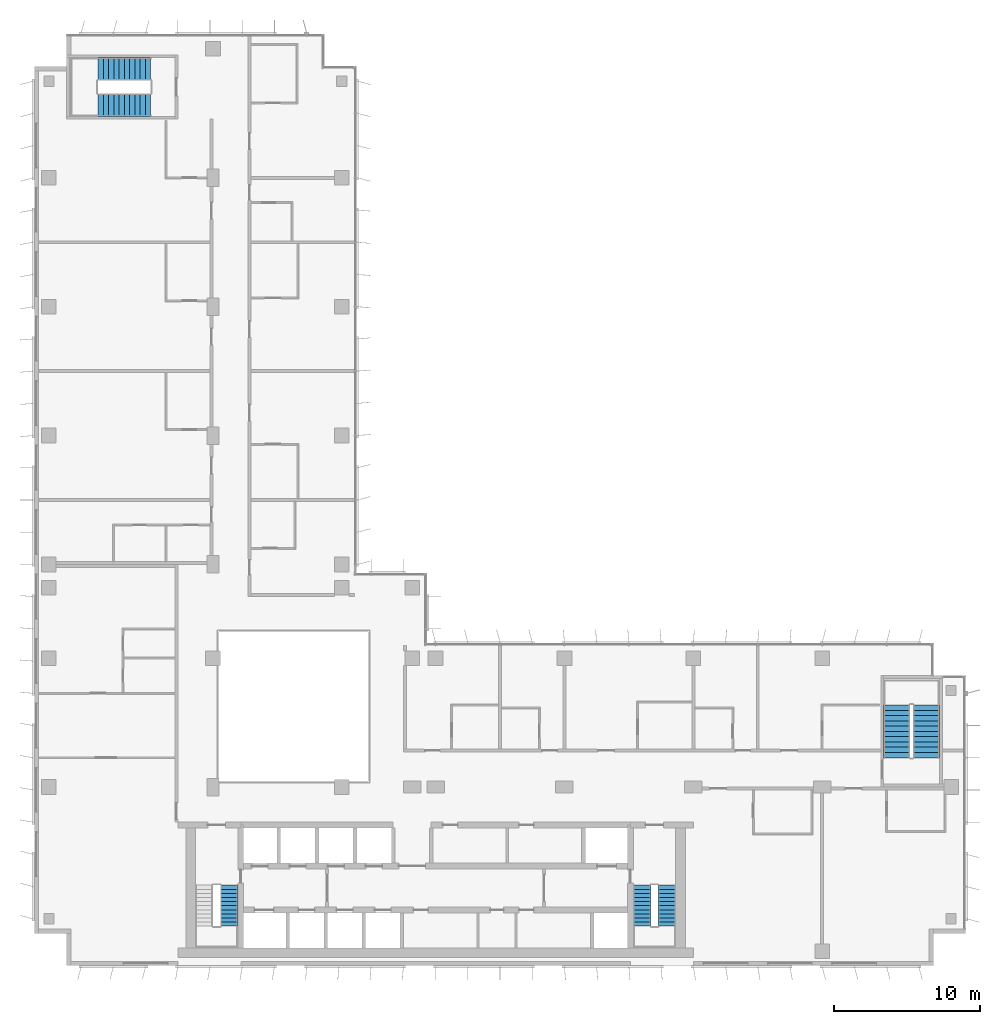
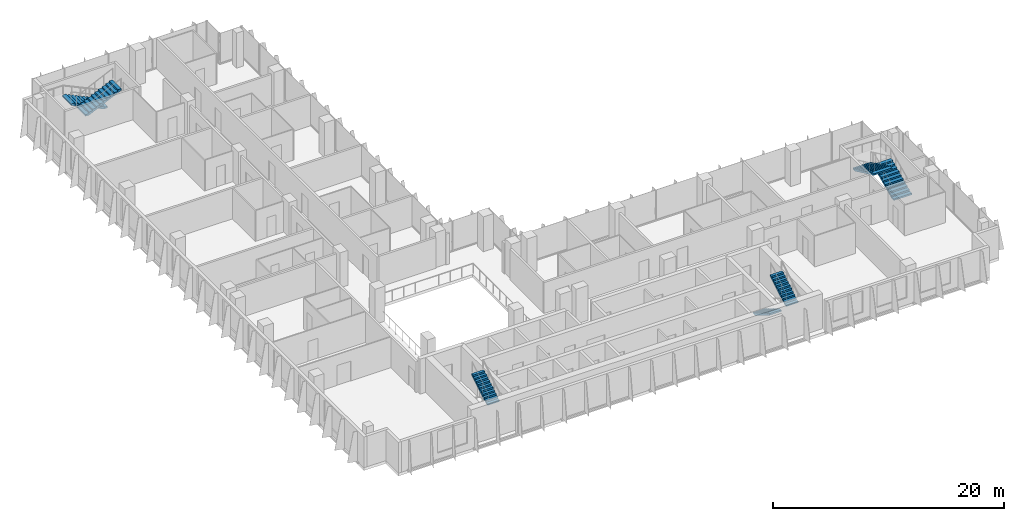
# One storey, part 17 of 20: 7 stair flights, 4 elements without a shape of their own.
"""IFC4 building model written with IfcOpenShell, lengths in metres."""

from ifc_helpers import new_model, si_unit, direction, frame, origin, place, context, subcontext, project, spatial, polyline, outline, extrude, material, type_object, element, aggregate, save


model = new_model("IFC4")

# Units and contexts
model_context = context("Model", 3, precision=1e-05, world=origin(), true_north=direction((0.0, 1.0)))
body_context = subcontext(model_context, "Body", "Model", "MODEL_VIEW")
ifc_project = project(units=[si_unit("LENGTHUNIT", "METRE"), si_unit("AREAUNIT", "SQUARE_METRE"), si_unit("VOLUMEUNIT", "CUBIC_METRE"), si_unit("PLANEANGLEUNIT", "RADIAN"), si_unit("MASSUNIT", "GRAM", prefix="KILO")], contexts=[model_context])

# Site, building, storey
site_placement = place(None, origin())
site = spatial("IfcSite", under=ifc_project, at=site_placement, CompositionType="ELEMENT")
building_placement = place(site_placement, origin())
building = spatial("IfcBuilding", under=site, at=building_placement, Name="Kemantara Hotel Tower", CompositionType="ELEMENT")
storey_placement = place(building_placement, frame((0.0, 0.0, 190.10009765625)))
storey = spatial("IfcBuildingStorey", under=building, at=storey_placement, Name="L47", CompositionType="ELEMENT", Elevation=190.10009765625)

# Stair, stair flight
ifc_material = material(Name="Concrete fc 40 MPa", Category="concrete")
stair_type_1 = type_object("IfcStairType", Name="Stair 1200 wide 22 risers of 168 x 280 mm", PredefinedType="HALF_TURN_STAIR", material=ifc_material)
stair_1_placement = place(storey_placement, origin())
stair_1 = element("IfcStair", 1, at=stair_1_placement, inside=storey, type_object=stair_type_1, Name="L47 Exit stair ST1", PredefinedType="HALF_TURN_STAIR")
stair_flight_type_1 = type_object("IfcStairFlightType", Name="Stair flight 1200 wide 168 x 280 mm", PredefinedType="STRAIGHT", material=ifc_material)
stair_flight_1_placement = place(storey_placement, frame((13.300048828125, 2.699951171875, 1.849853515625), z_axis=(0.0, 0.0, 1.0), x_axis=(0.0, 1.0, 0.0)))
stair_flight_1 = element("IfcStairFlight", 2, at=stair_flight_1_placement, type_object=stair_flight_type_1, Name="ST1 flight 2", NumberOfRisers=11, NumberOfTreads=10, PredefinedType="STRAIGHT", RiserHeight=0.168181818, TreadLength=0.28, context=body_context, shape_type="SweptSolid", body=[
    extrude(outline(polyline([(0.0, 0.0), (0.0, 0.168212890625), (0.280029296875, 0.168212890625), (0.280029296875, 0.33642578125), (0.56005859375, 0.33642578125), (0.56005859375, 0.504638671875), (0.840087890625, 0.504638671875), (0.840087890625, 0.672607421875), (1.1201171875, 0.672607421875), (1.1201171875, 0.8408203125), (1.39990234375, 0.8408203125), (1.39990234375, 1.009033203125), (1.679931640625, 1.009033203125), (1.679931640625, 1.17724609375), (1.9599609375, 1.17724609375), (1.9599609375, 1.345458984375), (2.239990234375, 1.345458984375), (2.239990234375, 1.513671875), (2.52001953125, 1.513671875), (2.52001953125, 1.681884765625), (2.800048828125, 1.681884765625), (2.800048828125, 1.85009765625), (2.800048828125, 1.5068359375), (0.291015625, 0.0), (0.0, 0.0)])), frame((0.0, 0.60009765625, 0.0), z_axis=(0.0, -1.0, 0.0), x_axis=(1.0, 0.0, 0.0)), (0.0, 0.0, 1.0), 1.199951171875),
])
aggregate(stair_1, [stair_flight_1])

# Stair, stair flights
stair_2_placement = place(storey_placement, origin())
stair_2 = element("IfcStair", 3, at=stair_2_placement, inside=storey, type_object=stair_type_1, Name="L47 Exit stair ST2", PredefinedType="HALF_TURN_STAIR")
stair_flight_2_placement = place(storey_placement, frame((41.5, 5.5, 0.0), z_axis=(0.0, 0.0, 1.0), x_axis=(0.0, -1.0, 0.0)))
stair_flight_2 = element("IfcStairFlight", 4, at=stair_flight_2_placement, type_object=stair_flight_type_1, Name="ST2 flight 1", NumberOfRisers=11, NumberOfTreads=10, PredefinedType="STRAIGHT", RiserHeight=0.168181818, TreadLength=0.28, context=body_context, shape_type="SweptSolid", body=[
    extrude(outline(polyline([(0.0, 0.0), (0.0, 0.168212890625), (0.280029296875, 0.168212890625), (0.280029296875, 0.33642578125), (0.56005859375, 0.33642578125), (0.56005859375, 0.504638671875), (0.840087890625, 0.504638671875), (0.840087890625, 0.672607421875), (1.1201171875, 0.672607421875), (1.1201171875, 0.8408203125), (1.39990234375, 0.8408203125), (1.39990234375, 1.009033203125), (1.679931640625, 1.009033203125), (1.679931640625, 1.17724609375), (1.9599609375, 1.17724609375), (1.9599609375, 1.345458984375), (2.239990234375, 1.345458984375), (2.239990234375, 1.513671875), (2.52001953125, 1.513671875), (2.52001953125, 1.681884765625), (2.800048828125, 1.681884765625), (2.800048828125, 1.85009765625), (2.800048828125, 1.5068359375), (0.291015625, 0.0), (0.0, 0.0)])), frame((0.0, 0.60009765625, 0.0), z_axis=(0.0, -1.0, 0.0), x_axis=(1.0, 0.0, 0.0)), (0.0, 0.0, 1.0), 1.199951171875),
])
stair_flight_3_placement = place(storey_placement, frame((43.199951171875, 2.699951171875, 1.849853515625), z_axis=(0.0, 0.0, 1.0), x_axis=(0.0, 1.0, 0.0)))
stair_flight_3 = element("IfcStairFlight", 5, at=stair_flight_3_placement, type_object=stair_flight_type_1, Name="ST2 flight 2", NumberOfRisers=11, NumberOfTreads=10, PredefinedType="STRAIGHT", RiserHeight=0.168181818, TreadLength=0.28, context=body_context, shape_type="SweptSolid", body=[
    extrude(outline(polyline([(0.0, 0.0), (0.0, 0.168212890625), (0.280029296875, 0.168212890625), (0.280029296875, 0.33642578125), (0.56005859375, 0.33642578125), (0.56005859375, 0.504638671875), (0.840087890625, 0.504638671875), (0.840087890625, 0.672607421875), (1.1201171875, 0.672607421875), (1.1201171875, 0.8408203125), (1.39990234375, 0.8408203125), (1.39990234375, 1.009033203125), (1.679931640625, 1.009033203125), (1.679931640625, 1.17724609375), (1.9599609375, 1.17724609375), (1.9599609375, 1.345458984375), (2.239990234375, 1.345458984375), (2.239990234375, 1.513671875), (2.52001953125, 1.513671875), (2.52001953125, 1.681884765625), (2.800048828125, 1.681884765625), (2.800048828125, 1.85009765625), (2.800048828125, 1.5068359375), (0.291015625, 0.0), (0.0, 0.0)])), frame((0.0, 0.60009765625, 0.0), z_axis=(0.0, -1.0, 0.0), x_axis=(1.0, 0.0, 0.0)), (0.0, 0.0, 1.0), 1.199951171875),
])
aggregate(stair_2, [stair_flight_2, stair_flight_3])

stair_type_2 = type_object("IfcStairType", Name="Stair 1550 wide 22 risers of 168 x 360 mm", PredefinedType="HALF_TURN_STAIR", material=ifc_material)
stair_3_placement = place(storey_placement, origin())
stair_3 = element("IfcStair", 6, at=stair_3_placement, inside=storey, type_object=stair_type_2, Name="L47 Exit stair ST4", PredefinedType="HALF_TURN_STAIR")
stair_flight_type_2 = type_object("IfcStairFlightType", Name="Stair flight 1550 wide 168 x 360 mm", PredefinedType="STRAIGHT", material=ifc_material)
stair_flight_4_placement = place(storey_placement, frame((7.949951171875, 61.22509765625, 0.0), z_axis=(0.0, 0.0, 1.0), x_axis=(-1.0, 0.0, 0.0)))
stair_flight_4 = element("IfcStairFlight", 7, at=stair_flight_4_placement, type_object=stair_flight_type_2, Name="ST4 flight 1", NumberOfRisers=11, NumberOfTreads=10, PredefinedType="STRAIGHT", RiserHeight=0.168181818, TreadLength=0.36, context=body_context, shape_type="SweptSolid", body=[
    extrude(outline(polyline([(0.0, 0.0), (0.0, 0.168212890625), (0.360107421875, 0.168212890625), (0.360107421875, 0.33642578125), (0.719970703125, 0.33642578125), (0.719970703125, 0.504638671875), (1.080078125, 0.504638671875), (1.080078125, 0.672607421875), (1.43994140625, 0.672607421875), (1.43994140625, 0.8408203125), (1.800048828125, 0.8408203125), (1.800048828125, 1.009033203125), (2.159912109375, 1.009033203125), (2.159912109375, 1.17724609375), (2.52001953125, 1.17724609375), (2.52001953125, 1.345458984375), (2.8798828125, 1.345458984375), (2.8798828125, 1.513671875), (3.239990234375, 1.513671875), (3.239990234375, 1.681884765625), (3.60009765625, 1.681884765625), (3.60009765625, 1.85009765625), (3.60009765625, 1.516357421875), (0.354248046875, 0.0), (0.0, 0.0)])), frame((0.0, 0.77490234375, 0.0), z_axis=(0.0, -1.0, 0.0), x_axis=(1.0, 0.0, 0.0)), (0.0, 0.0, 1.0), 1.550048828125),
])
stair_flight_5_placement = place(storey_placement, frame((4.35009765625, 58.77490234375, 1.849853515625), z_axis=(0.0, 0.0, 1.0), x_axis=(1.0, 0.0, 0.0)))
stair_flight_5 = element("IfcStairFlight", 8, at=stair_flight_5_placement, type_object=stair_flight_type_2, Name="ST4 flight 2", NumberOfRisers=11, NumberOfTreads=10, PredefinedType="STRAIGHT", RiserHeight=0.168181818, TreadLength=0.36, context=body_context, shape_type="SweptSolid", body=[
    extrude(outline(polyline([(0.0, 0.0), (0.0, 0.168212890625), (0.360107421875, 0.168212890625), (0.360107421875, 0.33642578125), (0.719970703125, 0.33642578125), (0.719970703125, 0.504638671875), (1.080078125, 0.504638671875), (1.080078125, 0.672607421875), (1.43994140625, 0.672607421875), (1.43994140625, 0.8408203125), (1.800048828125, 0.8408203125), (1.800048828125, 1.009033203125), (2.159912109375, 1.009033203125), (2.159912109375, 1.17724609375), (2.52001953125, 1.17724609375), (2.52001953125, 1.345458984375), (2.8798828125, 1.345458984375), (2.8798828125, 1.513671875), (3.239990234375, 1.513671875), (3.239990234375, 1.681884765625), (3.60009765625, 1.681884765625), (3.60009765625, 1.85009765625), (3.60009765625, 1.516357421875), (0.354248046875, 0.0), (0.0, 0.0)])), frame((0.0, 0.77490234375, 0.0), z_axis=(0.0, -1.0, 0.0), x_axis=(1.0, 0.0, 0.0)), (0.0, 0.0, 1.0), 1.550048828125),
])
aggregate(stair_3, [stair_flight_4, stair_flight_5])

stair_type_3 = type_object("IfcStairType", Name="Stair 1800 wide 22 risers of 168 x 360 mm", PredefinedType="HALF_TURN_STAIR", material=ifc_material)
stair_4_placement = place(storey_placement, origin())
stair_4 = element("IfcStair", 9, at=stair_4_placement, inside=storey, type_object=stair_type_3, Name="L47 Exit stair ST3", PredefinedType="HALF_TURN_STAIR")
stair_flight_type_3 = type_object("IfcStairFlightType", Name="Stair flight 1800 wide 168 x 360 mm", PredefinedType="STRAIGHT", material=ifc_material)
stair_flight_6_placement = place(storey_placement, frame((60.89990234375, 14.199951171875, 0.0), z_axis=(0.0, 0.0, 1.0), x_axis=(0.0, 1.0, 0.0)))
stair_flight_6 = element("IfcStairFlight", 10, at=stair_flight_6_placement, type_object=stair_flight_type_3, Name="ST3 flight 1", NumberOfRisers=11, NumberOfTreads=10, PredefinedType="STRAIGHT", RiserHeight=0.168181818, TreadLength=0.36, context=body_context, shape_type="SweptSolid", body=[
    extrude(outline(polyline([(0.0, 0.0), (0.0, 0.168212890625), (0.360107421875, 0.168212890625), (0.360107421875, 0.33642578125), (0.719970703125, 0.33642578125), (0.719970703125, 0.504638671875), (1.080078125, 0.504638671875), (1.080078125, 0.672607421875), (1.43994140625, 0.672607421875), (1.43994140625, 0.8408203125), (1.800048828125, 0.8408203125), (1.800048828125, 1.009033203125), (2.159912109375, 1.009033203125), (2.159912109375, 1.17724609375), (2.52001953125, 1.17724609375), (2.52001953125, 1.345458984375), (2.8798828125, 1.345458984375), (2.8798828125, 1.513671875), (3.239990234375, 1.513671875), (3.239990234375, 1.681884765625), (3.60009765625, 1.681884765625), (3.60009765625, 1.85009765625), (3.60009765625, 1.516357421875), (0.354248046875, 0.0), (0.0, 0.0)])), frame((0.0, 0.89990234375, 0.0), z_axis=(0.0, -1.0, 0.0), x_axis=(1.0, 0.0, 0.0)), (0.0, 0.0, 1.0), 1.800048828125),
])
stair_flight_7_placement = place(storey_placement, frame((58.89990234375, 17.800048828125, 1.849853515625), z_axis=(0.0, 0.0, 1.0), x_axis=(0.0, -1.0, 0.0)))
stair_flight_7 = element("IfcStairFlight", 11, at=stair_flight_7_placement, type_object=stair_flight_type_3, Name="ST3 flight 2", NumberOfRisers=11, NumberOfTreads=10, PredefinedType="STRAIGHT", RiserHeight=0.168181818, TreadLength=0.36, context=body_context, shape_type="SweptSolid", body=[
    extrude(outline(polyline([(0.0, 0.0), (0.0, 0.168212890625), (0.360107421875, 0.168212890625), (0.360107421875, 0.33642578125), (0.719970703125, 0.33642578125), (0.719970703125, 0.504638671875), (1.080078125, 0.504638671875), (1.080078125, 0.672607421875), (1.43994140625, 0.672607421875), (1.43994140625, 0.8408203125), (1.800048828125, 0.8408203125), (1.800048828125, 1.009033203125), (2.159912109375, 1.009033203125), (2.159912109375, 1.17724609375), (2.52001953125, 1.17724609375), (2.52001953125, 1.345458984375), (2.8798828125, 1.345458984375), (2.8798828125, 1.513671875), (3.239990234375, 1.513671875), (3.239990234375, 1.681884765625), (3.60009765625, 1.681884765625), (3.60009765625, 1.85009765625), (3.60009765625, 1.516357421875), (0.354248046875, 0.0), (0.0, 0.0)])), frame((0.0, 0.89990234375, 0.0), z_axis=(0.0, -1.0, 0.0), x_axis=(1.0, 0.0, 0.0)), (0.0, 0.0, 1.0), 1.800048828125),
])
aggregate(stair_4, [stair_flight_6, stair_flight_7])

save(model, "model.ifc")
